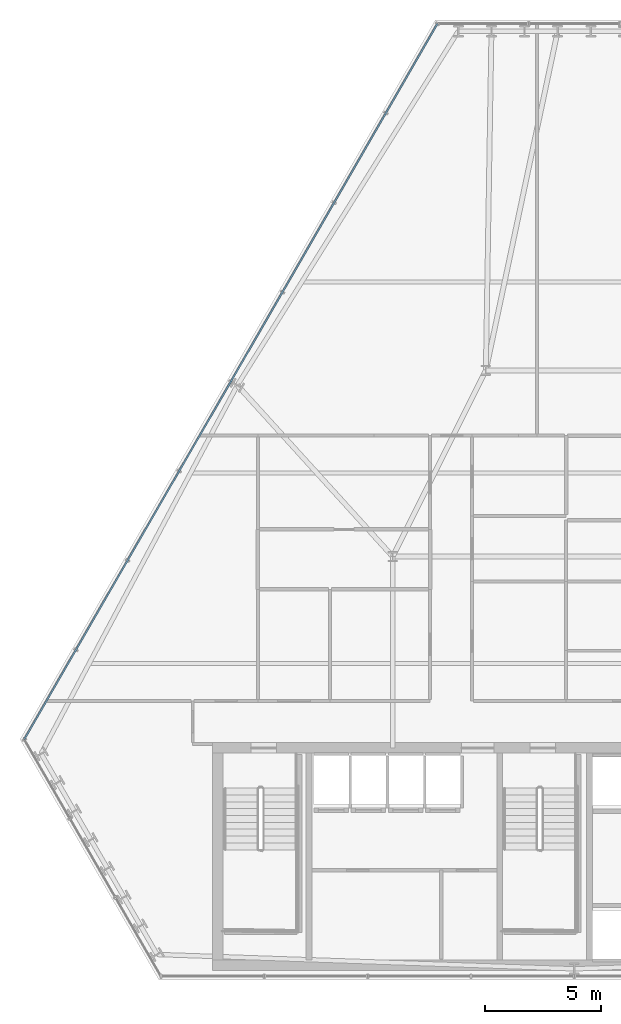
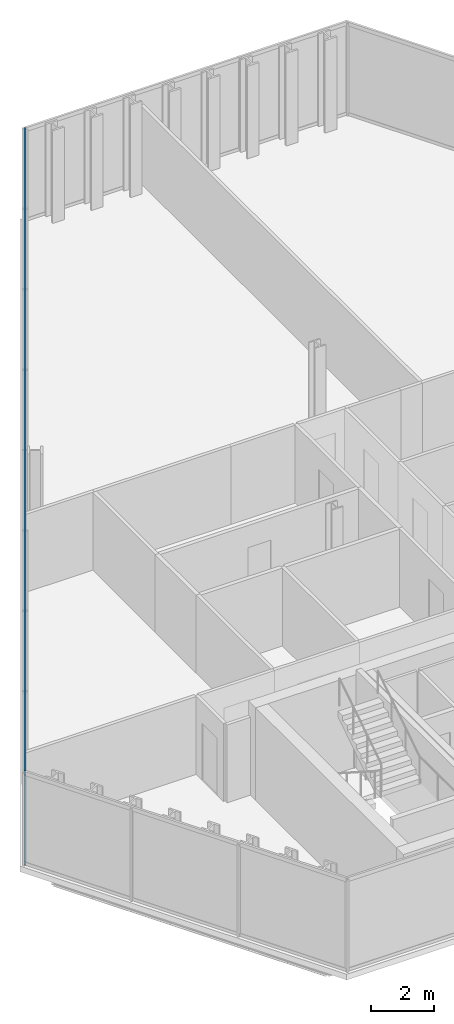
# One storey, part 12 of 31: 2 members, 1 element without a shape of its own.
"""IFC4 building model written with IfcOpenShell, lengths in metres."""

from ifc_helpers import new_model, si_unit, direction, frame, origin, origin_2d, place, context, subcontext, project, spatial, hollow_rectangle, extrude, material, layer, layer_set, material_profile, profile_set, type_object, element, aggregate, save


model = new_model("IFC4")

# Units and contexts
model_context = context("Model", 3, precision=1e-05, world=origin(), true_north=direction((0.0, 1.0)))
body_context = subcontext(model_context, "Body", "Model", "MODEL_VIEW")
ifc_project = project(units=[si_unit("LENGTHUNIT", "METRE"), si_unit("AREAUNIT", "SQUARE_METRE"), si_unit("VOLUMEUNIT", "CUBIC_METRE"), si_unit("PLANEANGLEUNIT", "RADIAN"), si_unit("MASSUNIT", "GRAM", prefix="KILO")], contexts=[model_context])

# Site, building, storey
site_placement = place(None, origin())
site = spatial("IfcSite", under=ifc_project, at=site_placement, CompositionType="ELEMENT")
building_placement = place(site_placement, origin())
building = spatial("IfcBuilding", under=site, at=building_placement, Name="Ndaravel Arena Tower", CompositionType="ELEMENT")
storey_placement = place(building_placement, frame((0.0, 0.0, 142.199951171875)))
storey = spatial("IfcBuildingStorey", under=building, at=storey_placement, Name="L33", CompositionType="ELEMENT", Elevation=142.199951171875)

# Curtain wall, members
ifc_material_1 = material(Name="Aluminium", Category="aluminium")
ifc_layer = layer(ifc_material_1, 0.179931640625)
ifc_layer_set = layer_set([ifc_layer], Name="Aluminium")
curtain_wall_type = type_object("IfcCurtainWallType", Name="CW-SYS-03", PredefinedType="NOTDEFINED", material=ifc_layer_set)
curtain_wall_placement = place(storey_placement, origin())
curtain_wall = element("IfcCurtainWall", 1, at=curtain_wall_placement, inside=storey, type_object=curtain_wall_type, Name="L33 Faceted Crystal Curtain Wall CW-L33-E05", PredefinedType="NOTDEFINED")
ifc_material_2 = material(Name="Aluminium", Category="aluminium")
ifc_material_profile = material_profile(ifc_material_2, hollow_rectangle(XDim=0.074951171875, YDim=0.14990234375, WallThickness=0.00390625, at=origin_2d()), Name="CW TRANSOM 75x150x4")
ifc_profile_set = profile_set([ifc_material_profile], Name="Aluminium")
member_type = type_object("IfcMemberType", Name="MEM-CW-TRN150", PredefinedType="USERDEFINED", material=ifc_profile_set)
member_1_placement = place(storey_placement, frame((36.12060546875, 46.10498046875, 0.0400390625), z_axis=(-0.499994154718, -0.866028778533, 0.0), x_axis=(0.866028778533, -0.499994154718, 0.0)))
member_1 = element("IfcMember", 2, at=member_1_placement, type_object=member_type, Name="CW-L33-E05 Transom 01", ObjectType="TRANSOM", PredefinedType="USERDEFINED", context=body_context, shape_type="SweptSolid", body=[
    extrude(hollow_rectangle(XDim=0.074951171875, YDim=0.14990234375, WallThickness=0.00390625, at=origin_2d()), origin(), (0.0, 0.0, 1.0), 35.5205078125),
])
member_2_placement = place(storey_placement, frame((36.12060546875, 46.10498046875, 3.5400390625), z_axis=(-0.499994154718, -0.866028778533, 0.0), x_axis=(0.866028778533, -0.499994154718, 0.0)))
member_2 = element("IfcMember", 3, at=member_2_placement, type_object=member_type, Name="CW-L33-E05 Transom 02", ObjectType="TRANSOM", PredefinedType="USERDEFINED", context=body_context, shape_type="SweptSolid", body=[
    extrude(hollow_rectangle(XDim=0.074951171875, YDim=0.14990234375, WallThickness=0.00390625, at=origin_2d()), origin(), (0.0, 0.0, 1.0), 35.5205078125),
])
aggregate(curtain_wall, [member_1, member_2])

save(model, "model.ifc")
